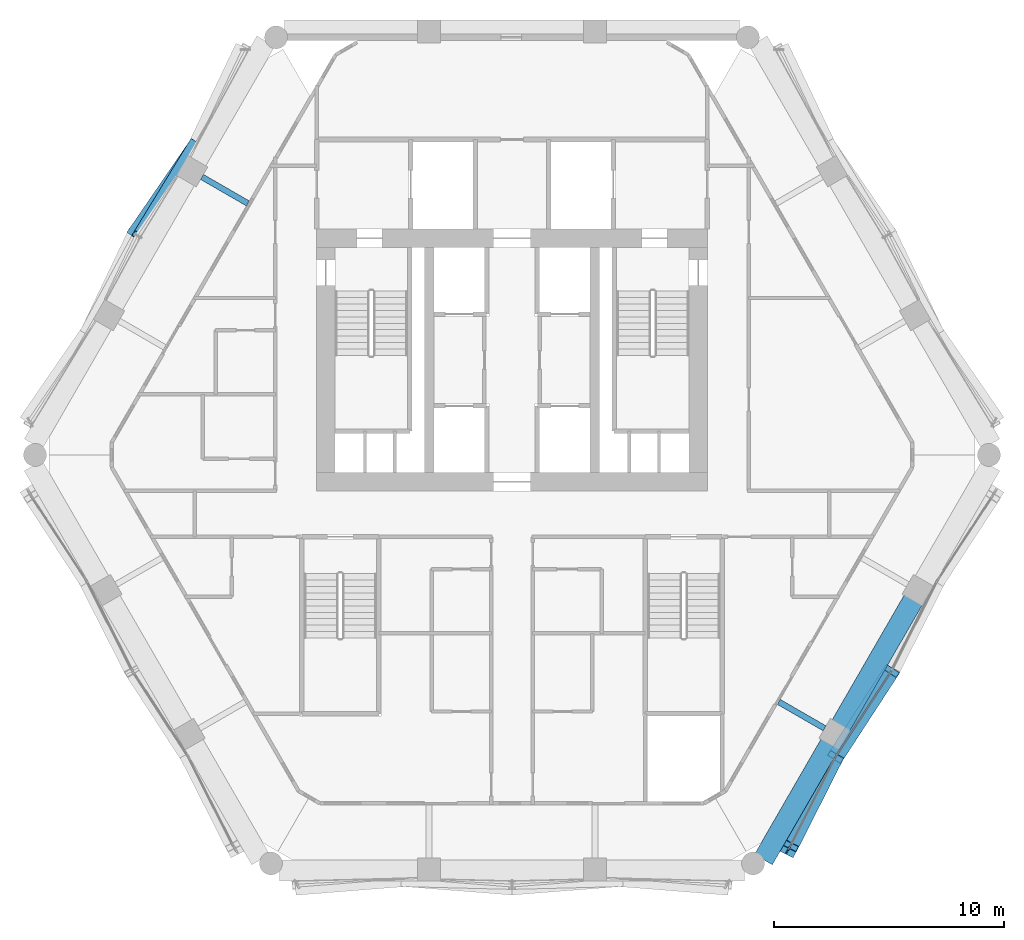
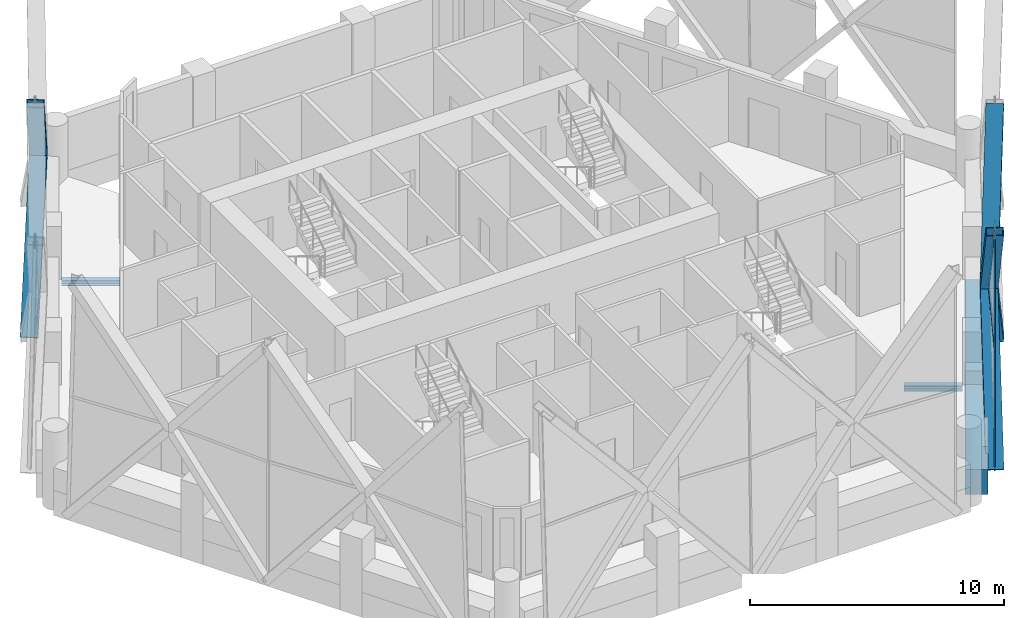
# One storey, part 5 of 19: 10 members, 4 beams, 2 elements without a shape of their own.
"""IFC4 building model written with IfcOpenShell, lengths in metres."""

from ifc_helpers import new_model, si_unit, direction, frame, origin, origin_2d, place, context, subcontext, project, spatial, rectangle, hollow_rectangle, i_section, extrude, material, material_profile, profile_set, type_object, element, aggregate, save


model = new_model("IFC4")

# Units and contexts
model_context = context("Model", 3, precision=1e-05, world=origin(), true_north=direction((0.0, 1.0)))
body_context = subcontext(model_context, "Body", "Model", "MODEL_VIEW")
ifc_project = project(units=[si_unit("LENGTHUNIT", "METRE"), si_unit("AREAUNIT", "SQUARE_METRE"), si_unit("VOLUMEUNIT", "CUBIC_METRE"), si_unit("PLANEANGLEUNIT", "RADIAN"), si_unit("MASSUNIT", "GRAM", prefix="KILO")], contexts=[model_context])

# Site, building, storey
site_placement = place(None, origin())
site = spatial("IfcSite", under=ifc_project, at=site_placement, CompositionType="ELEMENT")
building_placement = place(site_placement, origin())
building = spatial("IfcBuilding", under=site, at=building_placement, Name="Ostrander Bayou Hotel Tower", CompositionType="ELEMENT")
storey_placement = place(building_placement, frame((0.0, 0.0, 164.5)))
storey = spatial("IfcBuildingStorey", under=building, at=storey_placement, Name="L40", CompositionType="ELEMENT", Elevation=164.5)

# Curtain wall, members
ifc_material_1 = material(Name="Aluminium and clear glass", Category="aluminium")
curtain_wall_type = type_object("IfcCurtainWallType", Name="CW-LAT lattice glazing", PredefinedType="NOTDEFINED", material=ifc_material_1)
curtain_wall_1_placement = place(storey_placement, origin())
curtain_wall_1 = element("IfcCurtainWall", 1, at=curtain_wall_1_placement, inside=storey, type_object=curtain_wall_type, Name="CW-LAT L40 SE 1", PredefinedType="NOTDEFINED")
ifc_material_2 = material(Name="Aluminium", Category="aluminium")
ifc_material_profile_1 = material_profile(ifc_material_2, hollow_rectangle(XDim=0.06005859375, YDim=0.159912109375, WallThickness=0.00390625, at=origin_2d()))
ifc_profile_set_1 = profile_set([ifc_material_profile_1], Name="Aluminium")
member_type_1 = type_object("IfcMemberType", Name="CW-LA mullion 60 x 160 mm", PredefinedType="MULLION", material=ifc_profile_set_1)
member_1_placement = place(storey_placement, frame((11.9814453125, -17.3876953125, -0.60009765625), z_axis=(0.012582810856, 0.021824668484, 0.999682627996), x_axis=(-0.866328918095, 0.499473928922, 0.0)))
member_1 = element("IfcMember", 2, at=member_1_placement, type_object=member_type_1, Name="CW-LAT mullion 1", PredefinedType="MULLION", context=body_context, shape_type="SweptSolid", body=[
    extrude(hollow_rectangle(XDim=0.06005859375, YDim=0.159912109375, WallThickness=0.00390625, at=origin_2d()), origin(), (0.0, 0.0, 1.0), 5.626708984375),
])
member_2_placement = place(storey_placement, frame((12.05224609375, -17.264892578125, 5.02490234375), z_axis=(0.012582810856, 0.021824668484, 0.999682627996), x_axis=(-0.866328918095, 0.499473928922, 0.0)))
member_2 = element("IfcMember", 3, at=member_2_placement, type_object=member_type_1, Name="CW-LAT mullion 2", PredefinedType="MULLION", context=body_context, shape_type="SweptSolid", body=[
    extrude(hollow_rectangle(XDim=0.06005859375, YDim=0.159912109375, WallThickness=0.00390625, at=origin_2d()), origin(), (0.0, 0.0, 1.0), 5.626708984375),
])
aggregate(curtain_wall_1, [member_1, member_2])

curtain_wall_2_placement = place(storey_placement, origin())
curtain_wall_2 = element("IfcCurtainWall", 4, at=curtain_wall_2_placement, inside=storey, type_object=curtain_wall_type, Name="CW-LAT L40 SE 2", PredefinedType="NOTDEFINED")
ifc_material_3 = material(Name="Aluminium", Category="aluminium")
ifc_material_profile_2 = material_profile(ifc_material_3, hollow_rectangle(XDim=0.06005859375, YDim=0.1201171875, WallThickness=0.00390625, at=origin_2d()))
ifc_profile_set_2 = profile_set([ifc_material_profile_2], Name="Aluminium")
member_type_2 = type_object("IfcMemberType", Name="CW-LA transom 60 x 120 mm", PredefinedType="USERDEFINED", material=ifc_profile_set_2)
member_3_placement = place(storey_placement, frame((12.05224609375, -17.264892578125, 5.02490234375), z_axis=(0.45323417002, 0.89139148926, 0.0), x_axis=(-0.89139148926, 0.45323417002, 0.0)))
member_3 = element("IfcMember", 5, at=member_3_placement, type_object=member_type_2, Name="CW-LAT transom 3", ObjectType="TRANSOM", PredefinedType="USERDEFINED", context=body_context, shape_type="SweptSolid", body=[
    extrude(hollow_rectangle(XDim=0.06005859375, YDim=0.1201171875, WallThickness=0.00390625, at=origin_2d()), origin(), (0.0, 0.0, 1.0), 4.46923828125),
])
member_4_placement = place(storey_placement, frame((16.51513671875, -9.534912109375, 5.02490234375), z_axis=(-0.545349285167, -0.838208898287, 0.0), x_axis=(0.838208898287, -0.545349285167, 0.0)))
member_4 = element("IfcMember", 6, at=member_4_placement, type_object=member_type_2, Name="CW-LAT transom 6", ObjectType="TRANSOM", PredefinedType="USERDEFINED", context=body_context, shape_type="SweptSolid", body=[
    extrude(hollow_rectangle(XDim=0.06005859375, YDim=0.1201171875, WallThickness=0.00390625, at=origin_2d()), origin(), (0.0, 0.0, 1.0), 4.46923828125),
])
aggregate(curtain_wall_2, [member_3, member_4])

# Beams
ifc_material_4 = material(Name="Steel ASTM A992", Category="steel")
ifc_material_profile_3 = material_profile(ifc_material_4, i_section(OverallWidth=0.25390625, OverallDepth=0.25341796875, WebThickness=0.008544921875, FlangeThickness=0.01416015625, at=origin_2d()))
ifc_profile_set_3 = profile_set([ifc_material_profile_3], Name="Steel ASTM A992")
beam_type_1 = type_object("IfcBeamType", Name="LB2 loggia bracket W10x49", PredefinedType="BEAM", material=ifc_profile_set_3)
beam_1_placement = place(storey_placement, frame((-13.492919921875, 11.968017578125, -0.4267578125), z_axis=(0.866007057882, -0.500031774688, 0.0), x_axis=(0.500031774688, 0.866007057882, 0.0)))
element("IfcBeam", 7, at=beam_1_placement, inside=storey, type_object=beam_type_1, Name="LB2 L40 NW1", PredefinedType="BEAM", context=body_context, shape_type="SweptSolid", body=[
    extrude(i_section(OverallWidth=0.25390625, OverallDepth=0.25341796875, WebThickness=0.008544921875, FlangeThickness=0.01416015625, at=origin_2d()), origin(), (0.0, 0.0, 1.0), 2.300048828125),
])
beam_2_placement = place(storey_placement, frame((13.606201171875, -12.033203125, -0.4267578125), z_axis=(-0.86602648383, 0.499998129301, 0.0), x_axis=(-0.499998129301, -0.86602648383, 0.0)))
element("IfcBeam", 8, at=beam_2_placement, inside=storey, type_object=beam_type_1, Name="LB2 L40 SE1", PredefinedType="BEAM", context=body_context, shape_type="SweptSolid", body=[
    extrude(i_section(OverallWidth=0.25390625, OverallDepth=0.25341796875, WebThickness=0.008544921875, FlangeThickness=0.01416015625, at=origin_2d()), origin(), (0.0, 0.0, 1.0), 2.2998046875),
])

# Members
ifc_material_5 = material(Name="Steel ASTM A572 Gr 50", Category="steel")
ifc_material_profile_4 = material_profile(ifc_material_5, hollow_rectangle(XDim=0.699951171875, YDim=0.35009765625, WallThickness=0.02490234375, at=origin_2d()))
ifc_profile_set_4 = profile_set([ifc_material_profile_4], Name="Steel ASTM A572 Gr 50")
member_type_3 = type_object("IfcMemberType", Name="LT1 lattice member box 700 x 350 x 25 mm", PredefinedType="BRACE", material=ifc_profile_set_4)
member_5_placement = place(storey_placement, frame((-13.743408203125, 13.341552734375, 5.02490234375), z_axis=(-0.362746014515, -0.528393808799, -0.767603616313), x_axis=(0.824423944242, -0.565972755669, 0.0)))
element("IfcMember", 9, at=member_5_placement, inside=storey, type_object=member_type_3, Name="LT1 L40 NW 3", PredefinedType="BRACE", context=body_context, shape_type="SweptSolid", body=[
    extrude(hollow_rectangle(XDim=0.699951171875, YDim=0.35009765625, WallThickness=0.02490234375, at=origin_2d()), origin(), (0.0, 0.0, 1.0), 7.327880859375),
])
member_6_placement = place(storey_placement, frame((-13.743408203125, 13.341552734375, 5.02490234375), z_axis=(-0.334128355443, -0.545751874637, 0.768448523598), x_axis=(0.85285509352, -0.522147670163, 0.0)))
element("IfcMember", 10, at=member_6_placement, inside=storey, type_object=member_type_3, Name="LT1 L40 NW 4", PredefinedType="BRACE", context=body_context, shape_type="SweptSolid", body=[
    extrude(hollow_rectangle(XDim=0.699951171875, YDim=0.35009765625, WallThickness=0.02490234375, at=origin_2d()), origin(), (0.0, 0.0, 1.0), 7.31982421875),
])
member_7_placement = place(storey_placement, frame((14.077880859375, -13.281005859375, 5.02490234375), z_axis=(-0.28823808157, -0.564627083974, -0.773378991424), x_axis=(0.890657732828, -0.454674392235, 0.0)))
element("IfcMember", 11, at=member_7_placement, inside=storey, type_object=member_type_3, Name="LT1 L40 SE 1", PredefinedType="BRACE", context=body_context, shape_type="SweptSolid", body=[
    extrude(hollow_rectangle(XDim=0.699951171875, YDim=0.35009765625, WallThickness=0.02490234375, at=origin_2d()), origin(), (0.0, 0.0, 1.0), 7.273193359375),
])
member_8_placement = place(storey_placement, frame((14.077880859375, -13.281005859375, 5.02490234375), z_axis=(-0.275438111823, -0.544030690456, 0.792568264819), x_axis=(0.892170683623, -0.451698429578, 0.0)))
element("IfcMember", 12, at=member_8_placement, inside=storey, type_object=member_type_3, Name="LT1 L40 SE 2", PredefinedType="BRACE", context=body_context, shape_type="SweptSolid", body=[
    extrude(hollow_rectangle(XDim=0.699951171875, YDim=0.35009765625, WallThickness=0.02490234375, at=origin_2d()), origin(), (0.0, 0.0, 1.0), 7.09716796875),
])
for number, where, z_axis, x_axis, name in (
    (13, (14.077880859375, -13.281005859375, 5.02490234375), (0.339247857866, 0.521428341289, -0.782958093281), (-0.838208898287, 0.545349285167, 0.0), "LT1 L40 SE 3"),
    (14, (14.077880859375, -13.281005859375, 5.02490234375), (0.339247857866, 0.521428341289, 0.782958093281), (-0.838208898287, 0.545349285167, 0.0), "LT1 L40 SE 4"),
):
    element("IfcMember", number, at=place(storey_placement, frame(where, z_axis=z_axis, x_axis=x_axis)), inside=storey, type_object=member_type_3, Name=name, PredefinedType="BRACE", context=body_context, shape_type="SweptSolid", body=[
        extrude(hollow_rectangle(XDim=0.699951171875, YDim=0.35009765625, WallThickness=0.02490234375, at=origin_2d()), origin(), (0.0, 0.0, 1.0), 7.184326171875),
    ])

# Beams
ifc_material_6 = material(Name="Concrete f'c 60 MPa", Category="concrete")
ifc_material_profile_5 = material_profile(ifc_material_6, rectangle(XDim=0.89990234375, YDim=1.199951171875, at=origin_2d()))
ifc_profile_set_5 = profile_set([ifc_material_profile_5], Name="Concrete f'c 60 MPa")
beam_type_2 = type_object("IfcBeamType", Name="SP3 spandrel beam 900 x 1200 mm f'c 60 MPa", PredefinedType="SPANDREL", material=ifc_profile_set_5)
beam_3_placement = place(storey_placement, frame((10.941162109375, -17.74951171875, -0.60009765625), z_axis=(0.499969679245, 0.866042908773, 0.0), x_axis=(-0.866042908773, 0.499969679245, 0.0)))
element("IfcBeam", 15, at=beam_3_placement, inside=storey, type_object=beam_type_2, Name="SP3 L40 SE-1", PredefinedType="SPANDREL", context=body_context, shape_type="SweptSolid", body=[
    extrude(rectangle(XDim=0.89990234375, YDim=1.199951171875, at=origin_2d()), origin(), (0.0, 0.0, 1.0), 5.812744140625),
])
beam_4_placement = place(storey_placement, frame((14.3173828125, -11.9013671875, -0.60009765625), z_axis=(0.500013351051, 0.866017695414, 0.0), x_axis=(-0.866017695414, 0.500013351051, 0.0)))
element("IfcBeam", 16, at=beam_4_placement, inside=storey, type_object=beam_type_2, Name="SP3 L40 SE-2", PredefinedType="SPANDREL", context=body_context, shape_type="SweptSolid", body=[
    extrude(rectangle(XDim=0.89990234375, YDim=1.199951171875, at=origin_2d()), origin(), (0.0, 0.0, 1.0), 6.296142578125),
])

save(model, "model.ifc")
